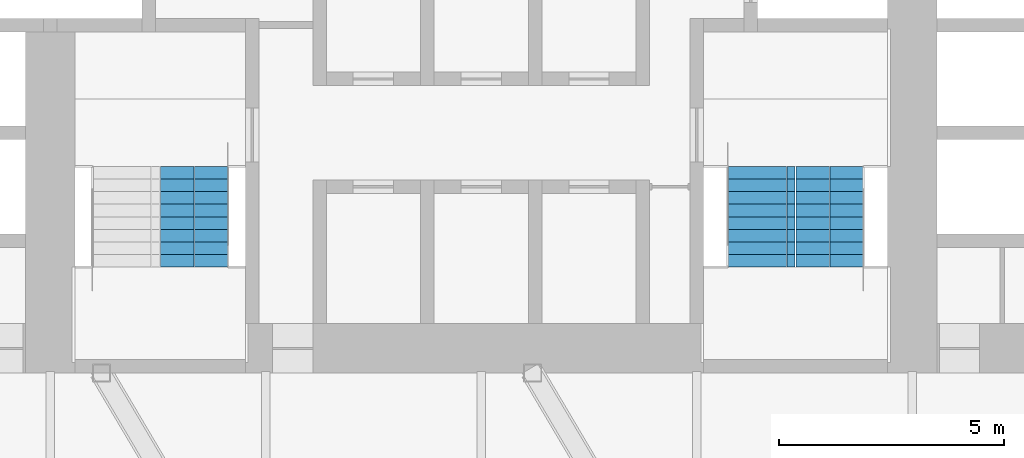
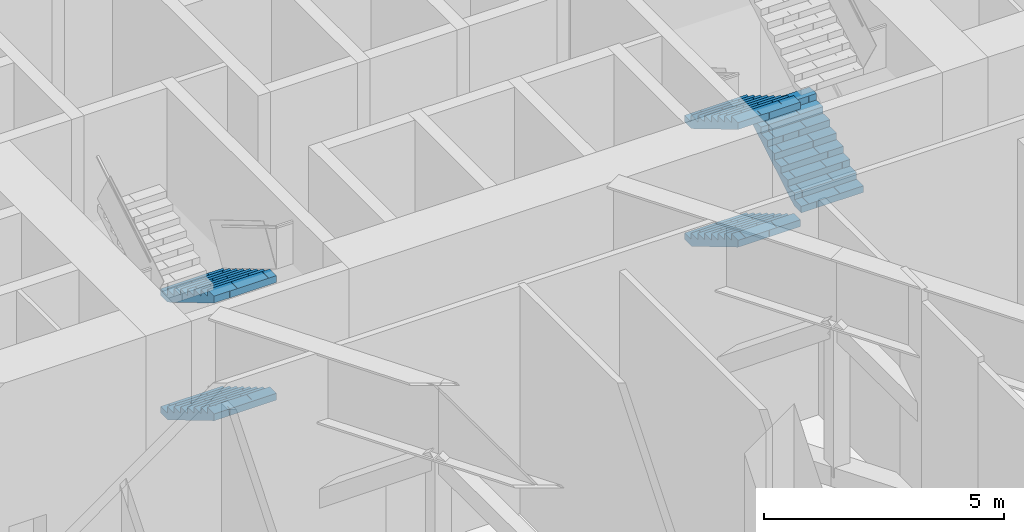
# One storey, part 24 of 35: 5 stair flights, 2 elements without a shape of their own.
"""IFC4 building model written with IfcOpenShell, lengths in metres."""

from ifc_helpers import new_model, si_unit, direction, frame, origin, place, context, subcontext, project, spatial, polyline, outline, extrude, material, type_object, element, aggregate, save


model = new_model("IFC4")

# Units and contexts
model_context = context("Model", 3, precision=1e-05, world=origin(), true_north=direction((0.0, 1.0)))
body_context = subcontext(model_context, "Body", "Model", "MODEL_VIEW")
ifc_project = project(units=[si_unit("LENGTHUNIT", "METRE"), si_unit("AREAUNIT", "SQUARE_METRE"), si_unit("VOLUMEUNIT", "CUBIC_METRE"), si_unit("PLANEANGLEUNIT", "RADIAN"), si_unit("MASSUNIT", "GRAM", prefix="KILO")], contexts=[model_context])

# Site, building, storey
site_placement = place(None, origin())
site = spatial("IfcSite", under=ifc_project, at=site_placement, CompositionType="ELEMENT")
building_placement = place(site_placement, origin())
building = spatial("IfcBuilding", under=site, at=building_placement, Name="Kolab Exchange Tower", CompositionType="ELEMENT")
storey_placement = place(building_placement, frame((0.0, 0.0, 71.89990234375)))
storey = spatial("IfcBuildingStorey", under=building, at=storey_placement, Name="L13", CompositionType="ELEMENT", Elevation=71.89990234375)

# Stair, stair flights
ifc_material = material(Name="Concrete C50/60", Category="concrete")
stair_type_1 = type_object("IfcStairType", Name="STAIR ST3 RISER 166.7", PredefinedType="DOUBLE_RETURN_STAIR", material=ifc_material)
stair_1_placement = place(storey_placement, origin())
stair_1 = element("IfcStair", 1, at=stair_1_placement, inside=storey, type_object=stair_type_1, Name="Stair 3", PredefinedType="DOUBLE_RETURN_STAIR")
stair_flight_type = type_object("IfcStairFlightType", Name="STAIR FLIGHT 1500 RISER 166.7", PredefinedType="STRAIGHT", material=ifc_material)
stair_flight_1_placement = place(storey_placement, frame((-6.389892578125, -5.550048828125, 0.0), z_axis=(0.0, 0.0, 1.0), x_axis=(0.0, -1.0, 0.0)))
stair_flight_1 = element("IfcStairFlight", 2, at=stair_flight_1_placement, type_object=stair_flight_type, Name="ST3 flight 1", NumberOfRisers=9, NumberOfTreads=8, PredefinedType="STRAIGHT", RiserHeight=0.166666667, TreadLength=0.28, context=body_context, shape_type="SweptSolid", body=[
    extrude(outline(polyline([(0.0, 0.0), (0.0, 0.166748046875), (0.280029296875, 0.166748046875), (0.280029296875, 0.333251953125), (0.56005859375, 0.333251953125), (0.56005859375, 0.5), (0.840087890625, 0.5), (0.840087890625, 0.666748046875), (1.1201171875, 0.666748046875), (1.1201171875, 0.833251953125), (1.39990234375, 0.833251953125), (1.39990234375, 1.0), (1.679931640625, 1.0), (1.679931640625, 1.166748046875), (1.9599609375, 1.166748046875), (1.9599609375, 1.333251953125), (2.239990234375, 1.333251953125), (2.239990234375, 1.5), (2.239990234375, 1.158935546875), (0.29296875, 0.0), (0.0, 0.0)])), frame((0.0, 0.75, 0.0), z_axis=(0.0, -1.0, 0.0), x_axis=(1.0, 0.0, 0.0)), (0.0, 0.0, 1.0), 0.185791015625),
    extrude(outline(polyline([(0.0, 0.0), (0.0, 0.166748046875), (0.280029296875, 0.166748046875), (0.280029296875, 0.333251953125), (0.56005859375, 0.333251953125), (0.56005859375, 0.5), (0.840087890625, 0.5), (0.840087890625, 0.666748046875), (1.1201171875, 0.666748046875), (1.1201171875, 0.833251953125), (1.39990234375, 0.833251953125), (1.39990234375, 1.0), (1.679931640625, 1.0), (1.679931640625, 1.166748046875), (1.9599609375, 1.166748046875), (1.9599609375, 1.333251953125), (2.239990234375, 1.333251953125), (2.239990234375, 1.5), (2.239990234375, 1.158935546875), (0.29296875, 0.0), (0.0, 0.0)])), frame((0.0, 0.562255859375, 0.0), z_axis=(0.0, -1.0, 0.0), x_axis=(1.0, 0.0, 0.0)), (0.0, 0.0, 1.0), 0.185791015625),
    extrude(outline(polyline([(0.0, 0.0), (0.0, 0.166748046875), (0.280029296875, 0.166748046875), (0.280029296875, 0.333251953125), (0.56005859375, 0.333251953125), (0.56005859375, 0.5), (0.840087890625, 0.5), (0.840087890625, 0.666748046875), (1.1201171875, 0.666748046875), (1.1201171875, 0.833251953125), (1.39990234375, 0.833251953125), (1.39990234375, 1.0), (1.679931640625, 1.0), (1.679931640625, 1.166748046875), (1.9599609375, 1.166748046875), (1.9599609375, 1.333251953125), (2.239990234375, 1.333251953125), (2.239990234375, 1.5), (2.239990234375, 1.158935546875), (0.29296875, 0.0), (0.0, 0.0)])), frame((0.0, 0.37451171875, 0.0), z_axis=(0.0, -1.0, 0.0), x_axis=(1.0, 0.0, 0.0)), (0.0, 0.0, 1.0), 0.185791015625),
    extrude(outline(polyline([(0.0, 0.0), (0.0, 0.166748046875), (0.280029296875, 0.166748046875), (0.280029296875, 0.333251953125), (0.56005859375, 0.333251953125), (0.56005859375, 0.5), (0.840087890625, 0.5), (0.840087890625, 0.666748046875), (1.1201171875, 0.666748046875), (1.1201171875, 0.833251953125), (1.39990234375, 0.833251953125), (1.39990234375, 1.0), (1.679931640625, 1.0), (1.679931640625, 1.166748046875), (1.9599609375, 1.166748046875), (1.9599609375, 1.333251953125), (2.239990234375, 1.333251953125), (2.239990234375, 1.5), (2.239990234375, 1.158935546875), (0.29296875, 0.0), (0.0, 0.0)])), frame((0.0, 0.186767578125, 0.0), z_axis=(0.0, -1.0, 0.0), x_axis=(1.0, 0.0, 0.0)), (0.0, 0.0, 1.0), 0.185791015625),
    extrude(outline(polyline([(0.0, 0.0), (0.0, 0.166748046875), (0.280029296875, 0.166748046875), (0.280029296875, 0.333251953125), (0.56005859375, 0.333251953125), (0.56005859375, 0.5), (0.840087890625, 0.5), (0.840087890625, 0.666748046875), (1.1201171875, 0.666748046875), (1.1201171875, 0.833251953125), (1.39990234375, 0.833251953125), (1.39990234375, 1.0), (1.679931640625, 1.0), (1.679931640625, 1.166748046875), (1.9599609375, 1.166748046875), (1.9599609375, 1.333251953125), (2.239990234375, 1.333251953125), (2.239990234375, 1.5), (2.239990234375, 1.158935546875), (0.29296875, 0.0), (0.0, 0.0)])), frame((0.0, -0.0009765625, 0.0), z_axis=(0.0, -1.0, 0.0), x_axis=(1.0, 0.0, 0.0)), (0.0, 0.0, 1.0), 0.185791015625),
    extrude(outline(polyline([(0.0, 0.0), (0.0, 0.166748046875), (0.280029296875, 0.166748046875), (0.280029296875, 0.333251953125), (0.56005859375, 0.333251953125), (0.56005859375, 0.5), (0.840087890625, 0.5), (0.840087890625, 0.666748046875), (1.1201171875, 0.666748046875), (1.1201171875, 0.833251953125), (1.39990234375, 0.833251953125), (1.39990234375, 1.0), (1.679931640625, 1.0), (1.679931640625, 1.166748046875), (1.9599609375, 1.166748046875), (1.9599609375, 1.333251953125), (2.239990234375, 1.333251953125), (2.239990234375, 1.5), (2.239990234375, 1.158935546875), (0.29296875, 0.0), (0.0, 0.0)])), frame((0.0, -0.188720703125, 0.0), z_axis=(0.0, -1.0, 0.0), x_axis=(1.0, 0.0, 0.0)), (0.0, 0.0, 1.0), 0.185791015625),
    extrude(outline(polyline([(0.0, 0.0), (0.0, 0.166748046875), (0.280029296875, 0.166748046875), (0.280029296875, 0.333251953125), (0.56005859375, 0.333251953125), (0.56005859375, 0.5), (0.840087890625, 0.5), (0.840087890625, 0.666748046875), (1.1201171875, 0.666748046875), (1.1201171875, 0.833251953125), (1.39990234375, 0.833251953125), (1.39990234375, 1.0), (1.679931640625, 1.0), (1.679931640625, 1.166748046875), (1.9599609375, 1.166748046875), (1.9599609375, 1.333251953125), (2.239990234375, 1.333251953125), (2.239990234375, 1.5), (2.239990234375, 1.158935546875), (0.29296875, 0.0), (0.0, 0.0)])), frame((0.0, -0.37646484375, 0.0), z_axis=(0.0, -1.0, 0.0), x_axis=(1.0, 0.0, 0.0)), (0.0, 0.0, 1.0), 0.185791015625),
    extrude(outline(polyline([(0.0, 0.0), (0.0, 0.166748046875), (0.280029296875, 0.166748046875), (0.280029296875, 0.333251953125), (0.56005859375, 0.333251953125), (0.56005859375, 0.5), (0.840087890625, 0.5), (0.840087890625, 0.666748046875), (1.1201171875, 0.666748046875), (1.1201171875, 0.833251953125), (1.39990234375, 0.833251953125), (1.39990234375, 1.0), (1.679931640625, 1.0), (1.679931640625, 1.166748046875), (1.9599609375, 1.166748046875), (1.9599609375, 1.333251953125), (2.239990234375, 1.333251953125), (2.239990234375, 1.5), (2.239990234375, 1.158935546875), (0.29296875, 0.0), (0.0, 0.0)])), frame((0.0, -0.564208984375, 0.0), z_axis=(0.0, -1.0, 0.0), x_axis=(1.0, 0.0, 0.0)), (0.0, 0.0, 1.0), 0.185791015625),
])
stair_flight_2_placement = place(storey_placement, frame((-6.389892578125, -5.550048828125, 3.0), z_axis=(0.0, 0.0, 1.0), x_axis=(0.0, -1.0, 0.0)))
stair_flight_2 = element("IfcStairFlight", 3, at=stair_flight_2_placement, type_object=stair_flight_type, Name="ST3 flight 3", NumberOfRisers=9, NumberOfTreads=8, PredefinedType="STRAIGHT", RiserHeight=0.166666667, TreadLength=0.28, context=body_context, shape_type="SweptSolid", body=[
    extrude(outline(polyline([(0.0, 0.0), (0.0, 0.166748046875), (0.280029296875, 0.166748046875), (0.280029296875, 0.333251953125), (0.56005859375, 0.333251953125), (0.56005859375, 0.5), (0.840087890625, 0.5), (0.840087890625, 0.666748046875), (1.1201171875, 0.666748046875), (1.1201171875, 0.833251953125), (1.39990234375, 0.833251953125), (1.39990234375, 1.0), (1.679931640625, 1.0), (1.679931640625, 1.166748046875), (1.9599609375, 1.166748046875), (1.9599609375, 1.333251953125), (2.239990234375, 1.333251953125), (2.239990234375, 1.5), (2.239990234375, 1.158935546875), (0.29296875, 0.0), (0.0, 0.0)])), frame((0.0, 0.75, 0.0), z_axis=(0.0, -1.0, 0.0), x_axis=(1.0, 0.0, 0.0)), (0.0, 0.0, 1.0), 0.185791015625),
    extrude(outline(polyline([(0.0, 0.0), (0.0, 0.166748046875), (0.280029296875, 0.166748046875), (0.280029296875, 0.333251953125), (0.56005859375, 0.333251953125), (0.56005859375, 0.5), (0.840087890625, 0.5), (0.840087890625, 0.666748046875), (1.1201171875, 0.666748046875), (1.1201171875, 0.833251953125), (1.39990234375, 0.833251953125), (1.39990234375, 1.0), (1.679931640625, 1.0), (1.679931640625, 1.166748046875), (1.9599609375, 1.166748046875), (1.9599609375, 1.333251953125), (2.239990234375, 1.333251953125), (2.239990234375, 1.5), (2.239990234375, 1.158935546875), (0.29296875, 0.0), (0.0, 0.0)])), frame((0.0, 0.562255859375, 0.0), z_axis=(0.0, -1.0, 0.0), x_axis=(1.0, 0.0, 0.0)), (0.0, 0.0, 1.0), 0.185791015625),
    extrude(outline(polyline([(0.0, 0.0), (0.0, 0.166748046875), (0.280029296875, 0.166748046875), (0.280029296875, 0.333251953125), (0.56005859375, 0.333251953125), (0.56005859375, 0.5), (0.840087890625, 0.5), (0.840087890625, 0.666748046875), (1.1201171875, 0.666748046875), (1.1201171875, 0.833251953125), (1.39990234375, 0.833251953125), (1.39990234375, 1.0), (1.679931640625, 1.0), (1.679931640625, 1.166748046875), (1.9599609375, 1.166748046875), (1.9599609375, 1.333251953125), (2.239990234375, 1.333251953125), (2.239990234375, 1.5), (2.239990234375, 1.158935546875), (0.29296875, 0.0), (0.0, 0.0)])), frame((0.0, 0.37451171875, 0.0), z_axis=(0.0, -1.0, 0.0), x_axis=(1.0, 0.0, 0.0)), (0.0, 0.0, 1.0), 0.185791015625),
    extrude(outline(polyline([(0.0, 0.0), (0.0, 0.166748046875), (0.280029296875, 0.166748046875), (0.280029296875, 0.333251953125), (0.56005859375, 0.333251953125), (0.56005859375, 0.5), (0.840087890625, 0.5), (0.840087890625, 0.666748046875), (1.1201171875, 0.666748046875), (1.1201171875, 0.833251953125), (1.39990234375, 0.833251953125), (1.39990234375, 1.0), (1.679931640625, 1.0), (1.679931640625, 1.166748046875), (1.9599609375, 1.166748046875), (1.9599609375, 1.333251953125), (2.239990234375, 1.333251953125), (2.239990234375, 1.5), (2.239990234375, 1.158935546875), (0.29296875, 0.0), (0.0, 0.0)])), frame((0.0, 0.186767578125, 0.0), z_axis=(0.0, -1.0, 0.0), x_axis=(1.0, 0.0, 0.0)), (0.0, 0.0, 1.0), 0.185791015625),
    extrude(outline(polyline([(0.0, 0.0), (0.0, 0.166748046875), (0.280029296875, 0.166748046875), (0.280029296875, 0.333251953125), (0.56005859375, 0.333251953125), (0.56005859375, 0.5), (0.840087890625, 0.5), (0.840087890625, 0.666748046875), (1.1201171875, 0.666748046875), (1.1201171875, 0.833251953125), (1.39990234375, 0.833251953125), (1.39990234375, 1.0), (1.679931640625, 1.0), (1.679931640625, 1.166748046875), (1.9599609375, 1.166748046875), (1.9599609375, 1.333251953125), (2.239990234375, 1.333251953125), (2.239990234375, 1.5), (2.239990234375, 1.158935546875), (0.29296875, 0.0), (0.0, 0.0)])), frame((0.0, -0.0009765625, 0.0), z_axis=(0.0, -1.0, 0.0), x_axis=(1.0, 0.0, 0.0)), (0.0, 0.0, 1.0), 0.185791015625),
    extrude(outline(polyline([(0.0, 0.0), (0.0, 0.166748046875), (0.280029296875, 0.166748046875), (0.280029296875, 0.333251953125), (0.56005859375, 0.333251953125), (0.56005859375, 0.5), (0.840087890625, 0.5), (0.840087890625, 0.666748046875), (1.1201171875, 0.666748046875), (1.1201171875, 0.833251953125), (1.39990234375, 0.833251953125), (1.39990234375, 1.0), (1.679931640625, 1.0), (1.679931640625, 1.166748046875), (1.9599609375, 1.166748046875), (1.9599609375, 1.333251953125), (2.239990234375, 1.333251953125), (2.239990234375, 1.5), (2.239990234375, 1.158935546875), (0.29296875, 0.0), (0.0, 0.0)])), frame((0.0, -0.188720703125, 0.0), z_axis=(0.0, -1.0, 0.0), x_axis=(1.0, 0.0, 0.0)), (0.0, 0.0, 1.0), 0.185791015625),
    extrude(outline(polyline([(0.0, 0.0), (0.0, 0.166748046875), (0.280029296875, 0.166748046875), (0.280029296875, 0.333251953125), (0.56005859375, 0.333251953125), (0.56005859375, 0.5), (0.840087890625, 0.5), (0.840087890625, 0.666748046875), (1.1201171875, 0.666748046875), (1.1201171875, 0.833251953125), (1.39990234375, 0.833251953125), (1.39990234375, 1.0), (1.679931640625, 1.0), (1.679931640625, 1.166748046875), (1.9599609375, 1.166748046875), (1.9599609375, 1.333251953125), (2.239990234375, 1.333251953125), (2.239990234375, 1.5), (2.239990234375, 1.158935546875), (0.29296875, 0.0), (0.0, 0.0)])), frame((0.0, -0.37646484375, 0.0), z_axis=(0.0, -1.0, 0.0), x_axis=(1.0, 0.0, 0.0)), (0.0, 0.0, 1.0), 0.185791015625),
    extrude(outline(polyline([(0.0, 0.0), (0.0, 0.166748046875), (0.280029296875, 0.166748046875), (0.280029296875, 0.333251953125), (0.56005859375, 0.333251953125), (0.56005859375, 0.5), (0.840087890625, 0.5), (0.840087890625, 0.666748046875), (1.1201171875, 0.666748046875), (1.1201171875, 0.833251953125), (1.39990234375, 0.833251953125), (1.39990234375, 1.0), (1.679931640625, 1.0), (1.679931640625, 1.166748046875), (1.9599609375, 1.166748046875), (1.9599609375, 1.333251953125), (2.239990234375, 1.333251953125), (2.239990234375, 1.5), (2.239990234375, 1.158935546875), (0.29296875, 0.0), (0.0, 0.0)])), frame((0.0, -0.564208984375, 0.0), z_axis=(0.0, -1.0, 0.0), x_axis=(1.0, 0.0, 0.0)), (0.0, 0.0, 1.0), 0.185791015625),
])
aggregate(stair_1, [stair_flight_1, stair_flight_2])

stair_type_2 = type_object("IfcStairType", Name="STAIR ST2 RISER 166.7", PredefinedType="DOUBLE_RETURN_STAIR", material=ifc_material)
stair_2_placement = place(storey_placement, origin())
stair_2 = element("IfcStair", 4, at=stair_2_placement, inside=storey, type_object=stair_type_2, Name="Stair 2", PredefinedType="DOUBLE_RETURN_STAIR")
stair_flight_3_placement = place(storey_placement, frame((6.239990234375, -5.550048828125, 0.0), z_axis=(0.0, 0.0, 1.0), x_axis=(0.0, -1.0, 0.0)))
stair_flight_3 = element("IfcStairFlight", 5, at=stair_flight_3_placement, type_object=stair_flight_type, Name="ST2 flight 1", NumberOfRisers=9, NumberOfTreads=8, PredefinedType="STRAIGHT", RiserHeight=0.166666667, TreadLength=0.28, context=body_context, shape_type="SweptSolid", body=[
    extrude(outline(polyline([(0.0, 0.0), (0.0, 0.166748046875), (0.280029296875, 0.166748046875), (0.280029296875, 0.333251953125), (0.56005859375, 0.333251953125), (0.56005859375, 0.5), (0.840087890625, 0.5), (0.840087890625, 0.666748046875), (1.1201171875, 0.666748046875), (1.1201171875, 0.833251953125), (1.39990234375, 0.833251953125), (1.39990234375, 1.0), (1.679931640625, 1.0), (1.679931640625, 1.166748046875), (1.9599609375, 1.166748046875), (1.9599609375, 1.333251953125), (2.239990234375, 1.333251953125), (2.239990234375, 1.5), (2.239990234375, 1.158935546875), (0.29296875, 0.0), (0.0, 0.0)])), frame((0.0, 0.75, 0.0), z_axis=(0.0, -1.0, 0.0), x_axis=(1.0, 0.0, 0.0)), (0.0, 0.0, 1.0), 0.185791015625),
    extrude(outline(polyline([(0.0, 0.0), (0.0, 0.166748046875), (0.280029296875, 0.166748046875), (0.280029296875, 0.333251953125), (0.56005859375, 0.333251953125), (0.56005859375, 0.5), (0.840087890625, 0.5), (0.840087890625, 0.666748046875), (1.1201171875, 0.666748046875), (1.1201171875, 0.833251953125), (1.39990234375, 0.833251953125), (1.39990234375, 1.0), (1.679931640625, 1.0), (1.679931640625, 1.166748046875), (1.9599609375, 1.166748046875), (1.9599609375, 1.333251953125), (2.239990234375, 1.333251953125), (2.239990234375, 1.5), (2.239990234375, 1.158935546875), (0.29296875, 0.0), (0.0, 0.0)])), frame((0.0, 0.562255859375, 0.0), z_axis=(0.0, -1.0, 0.0), x_axis=(1.0, 0.0, 0.0)), (0.0, 0.0, 1.0), 0.185791015625),
    extrude(outline(polyline([(0.0, 0.0), (0.0, 0.166748046875), (0.280029296875, 0.166748046875), (0.280029296875, 0.333251953125), (0.56005859375, 0.333251953125), (0.56005859375, 0.5), (0.840087890625, 0.5), (0.840087890625, 0.666748046875), (1.1201171875, 0.666748046875), (1.1201171875, 0.833251953125), (1.39990234375, 0.833251953125), (1.39990234375, 1.0), (1.679931640625, 1.0), (1.679931640625, 1.166748046875), (1.9599609375, 1.166748046875), (1.9599609375, 1.333251953125), (2.239990234375, 1.333251953125), (2.239990234375, 1.5), (2.239990234375, 1.158935546875), (0.29296875, 0.0), (0.0, 0.0)])), frame((0.0, 0.37451171875, 0.0), z_axis=(0.0, -1.0, 0.0), x_axis=(1.0, 0.0, 0.0)), (0.0, 0.0, 1.0), 0.185791015625),
    extrude(outline(polyline([(0.0, 0.0), (0.0, 0.166748046875), (0.280029296875, 0.166748046875), (0.280029296875, 0.333251953125), (0.56005859375, 0.333251953125), (0.56005859375, 0.5), (0.840087890625, 0.5), (0.840087890625, 0.666748046875), (1.1201171875, 0.666748046875), (1.1201171875, 0.833251953125), (1.39990234375, 0.833251953125), (1.39990234375, 1.0), (1.679931640625, 1.0), (1.679931640625, 1.166748046875), (1.9599609375, 1.166748046875), (1.9599609375, 1.333251953125), (2.239990234375, 1.333251953125), (2.239990234375, 1.5), (2.239990234375, 1.158935546875), (0.29296875, 0.0), (0.0, 0.0)])), frame((0.0, 0.186767578125, 0.0), z_axis=(0.0, -1.0, 0.0), x_axis=(1.0, 0.0, 0.0)), (0.0, 0.0, 1.0), 0.185791015625),
    extrude(outline(polyline([(0.0, 0.0), (0.0, 0.166748046875), (0.280029296875, 0.166748046875), (0.280029296875, 0.333251953125), (0.56005859375, 0.333251953125), (0.56005859375, 0.5), (0.840087890625, 0.5), (0.840087890625, 0.666748046875), (1.1201171875, 0.666748046875), (1.1201171875, 0.833251953125), (1.39990234375, 0.833251953125), (1.39990234375, 1.0), (1.679931640625, 1.0), (1.679931640625, 1.166748046875), (1.9599609375, 1.166748046875), (1.9599609375, 1.333251953125), (2.239990234375, 1.333251953125), (2.239990234375, 1.5), (2.239990234375, 1.158935546875), (0.29296875, 0.0), (0.0, 0.0)])), frame((0.0, -0.0009765625, 0.0), z_axis=(0.0, -1.0, 0.0), x_axis=(1.0, 0.0, 0.0)), (0.0, 0.0, 1.0), 0.185791015625),
    extrude(outline(polyline([(0.0, 0.0), (0.0, 0.166748046875), (0.280029296875, 0.166748046875), (0.280029296875, 0.333251953125), (0.56005859375, 0.333251953125), (0.56005859375, 0.5), (0.840087890625, 0.5), (0.840087890625, 0.666748046875), (1.1201171875, 0.666748046875), (1.1201171875, 0.833251953125), (1.39990234375, 0.833251953125), (1.39990234375, 1.0), (1.679931640625, 1.0), (1.679931640625, 1.166748046875), (1.9599609375, 1.166748046875), (1.9599609375, 1.333251953125), (2.239990234375, 1.333251953125), (2.239990234375, 1.5), (2.239990234375, 1.158935546875), (0.29296875, 0.0), (0.0, 0.0)])), frame((0.0, -0.188720703125, 0.0), z_axis=(0.0, -1.0, 0.0), x_axis=(1.0, 0.0, 0.0)), (0.0, 0.0, 1.0), 0.185791015625),
    extrude(outline(polyline([(0.0, 0.0), (0.0, 0.166748046875), (0.280029296875, 0.166748046875), (0.280029296875, 0.333251953125), (0.56005859375, 0.333251953125), (0.56005859375, 0.5), (0.840087890625, 0.5), (0.840087890625, 0.666748046875), (1.1201171875, 0.666748046875), (1.1201171875, 0.833251953125), (1.39990234375, 0.833251953125), (1.39990234375, 1.0), (1.679931640625, 1.0), (1.679931640625, 1.166748046875), (1.9599609375, 1.166748046875), (1.9599609375, 1.333251953125), (2.239990234375, 1.333251953125), (2.239990234375, 1.5), (2.239990234375, 1.158935546875), (0.29296875, 0.0), (0.0, 0.0)])), frame((0.0, -0.37646484375, 0.0), z_axis=(0.0, -1.0, 0.0), x_axis=(1.0, 0.0, 0.0)), (0.0, 0.0, 1.0), 0.185791015625),
    extrude(outline(polyline([(0.0, 0.0), (0.0, 0.166748046875), (0.280029296875, 0.166748046875), (0.280029296875, 0.333251953125), (0.56005859375, 0.333251953125), (0.56005859375, 0.5), (0.840087890625, 0.5), (0.840087890625, 0.666748046875), (1.1201171875, 0.666748046875), (1.1201171875, 0.833251953125), (1.39990234375, 0.833251953125), (1.39990234375, 1.0), (1.679931640625, 1.0), (1.679931640625, 1.166748046875), (1.9599609375, 1.166748046875), (1.9599609375, 1.333251953125), (2.239990234375, 1.333251953125), (2.239990234375, 1.5), (2.239990234375, 1.158935546875), (0.29296875, 0.0), (0.0, 0.0)])), frame((0.0, -0.564208984375, 0.0), z_axis=(0.0, -1.0, 0.0), x_axis=(1.0, 0.0, 0.0)), (0.0, 0.0, 1.0), 0.185791015625),
])
stair_flight_4_placement = place(storey_placement, frame((7.760009765625, -7.7900390625, 1.5), z_axis=(0.0, 0.0, 1.0), x_axis=(0.0, 1.0, 0.0)))
stair_flight_4 = element("IfcStairFlight", 6, at=stair_flight_4_placement, type_object=stair_flight_type, Name="ST2 flight 2", NumberOfRisers=9, NumberOfTreads=8, PredefinedType="STRAIGHT", RiserHeight=0.166666667, TreadLength=0.28, context=body_context, shape_type="SweptSolid", body=[
    extrude(outline(polyline([(0.0, 0.0), (0.0, 0.166748046875), (0.280029296875, 0.166748046875), (0.280029296875, 0.333251953125), (0.56005859375, 0.333251953125), (0.56005859375, 0.5), (0.840087890625, 0.5), (0.840087890625, 0.666748046875), (1.1201171875, 0.666748046875), (1.1201171875, 0.833251953125), (1.39990234375, 0.833251953125), (1.39990234375, 1.0), (1.679931640625, 1.0), (1.679931640625, 1.166748046875), (1.9599609375, 1.166748046875), (1.9599609375, 1.333251953125), (2.239990234375, 1.333251953125), (2.239990234375, 1.5), (2.239990234375, 1.158935546875), (0.29296875, 0.0), (0.0, 0.0)])), frame((0.0, 0.75, 0.0), z_axis=(0.0, -1.0, 0.0), x_axis=(1.0, 0.0, 0.0)), (0.0, 0.0, 1.0), 0.185791015625),
    extrude(outline(polyline([(0.0, 0.0), (0.0, 0.166748046875), (0.280029296875, 0.166748046875), (0.280029296875, 0.333251953125), (0.56005859375, 0.333251953125), (0.56005859375, 0.5), (0.840087890625, 0.5), (0.840087890625, 0.666748046875), (1.1201171875, 0.666748046875), (1.1201171875, 0.833251953125), (1.39990234375, 0.833251953125), (1.39990234375, 1.0), (1.679931640625, 1.0), (1.679931640625, 1.166748046875), (1.9599609375, 1.166748046875), (1.9599609375, 1.333251953125), (2.239990234375, 1.333251953125), (2.239990234375, 1.5), (2.239990234375, 1.158935546875), (0.29296875, 0.0), (0.0, 0.0)])), frame((0.0, 0.562255859375, 0.0), z_axis=(0.0, -1.0, 0.0), x_axis=(1.0, 0.0, 0.0)), (0.0, 0.0, 1.0), 0.185791015625),
    extrude(outline(polyline([(0.0, 0.0), (0.0, 0.166748046875), (0.280029296875, 0.166748046875), (0.280029296875, 0.333251953125), (0.56005859375, 0.333251953125), (0.56005859375, 0.5), (0.840087890625, 0.5), (0.840087890625, 0.666748046875), (1.1201171875, 0.666748046875), (1.1201171875, 0.833251953125), (1.39990234375, 0.833251953125), (1.39990234375, 1.0), (1.679931640625, 1.0), (1.679931640625, 1.166748046875), (1.9599609375, 1.166748046875), (1.9599609375, 1.333251953125), (2.239990234375, 1.333251953125), (2.239990234375, 1.5), (2.239990234375, 1.158935546875), (0.29296875, 0.0), (0.0, 0.0)])), frame((0.0, 0.37451171875, 0.0), z_axis=(0.0, -1.0, 0.0), x_axis=(1.0, 0.0, 0.0)), (0.0, 0.0, 1.0), 0.185791015625),
    extrude(outline(polyline([(0.0, 0.0), (0.0, 0.166748046875), (0.280029296875, 0.166748046875), (0.280029296875, 0.333251953125), (0.56005859375, 0.333251953125), (0.56005859375, 0.5), (0.840087890625, 0.5), (0.840087890625, 0.666748046875), (1.1201171875, 0.666748046875), (1.1201171875, 0.833251953125), (1.39990234375, 0.833251953125), (1.39990234375, 1.0), (1.679931640625, 1.0), (1.679931640625, 1.166748046875), (1.9599609375, 1.166748046875), (1.9599609375, 1.333251953125), (2.239990234375, 1.333251953125), (2.239990234375, 1.5), (2.239990234375, 1.158935546875), (0.29296875, 0.0), (0.0, 0.0)])), frame((0.0, 0.186767578125, 0.0), z_axis=(0.0, -1.0, 0.0), x_axis=(1.0, 0.0, 0.0)), (0.0, 0.0, 1.0), 0.185791015625),
    extrude(outline(polyline([(0.0, 0.0), (0.0, 0.166748046875), (0.280029296875, 0.166748046875), (0.280029296875, 0.333251953125), (0.56005859375, 0.333251953125), (0.56005859375, 0.5), (0.840087890625, 0.5), (0.840087890625, 0.666748046875), (1.1201171875, 0.666748046875), (1.1201171875, 0.833251953125), (1.39990234375, 0.833251953125), (1.39990234375, 1.0), (1.679931640625, 1.0), (1.679931640625, 1.166748046875), (1.9599609375, 1.166748046875), (1.9599609375, 1.333251953125), (2.239990234375, 1.333251953125), (2.239990234375, 1.5), (2.239990234375, 1.158935546875), (0.29296875, 0.0), (0.0, 0.0)])), frame((0.0, -0.0009765625, 0.0), z_axis=(0.0, -1.0, 0.0), x_axis=(1.0, 0.0, 0.0)), (0.0, 0.0, 1.0), 0.185791015625),
    extrude(outline(polyline([(0.0, 0.0), (0.0, 0.166748046875), (0.280029296875, 0.166748046875), (0.280029296875, 0.333251953125), (0.56005859375, 0.333251953125), (0.56005859375, 0.5), (0.840087890625, 0.5), (0.840087890625, 0.666748046875), (1.1201171875, 0.666748046875), (1.1201171875, 0.833251953125), (1.39990234375, 0.833251953125), (1.39990234375, 1.0), (1.679931640625, 1.0), (1.679931640625, 1.166748046875), (1.9599609375, 1.166748046875), (1.9599609375, 1.333251953125), (2.239990234375, 1.333251953125), (2.239990234375, 1.5), (2.239990234375, 1.158935546875), (0.29296875, 0.0), (0.0, 0.0)])), frame((0.0, -0.188720703125, 0.0), z_axis=(0.0, -1.0, 0.0), x_axis=(1.0, 0.0, 0.0)), (0.0, 0.0, 1.0), 0.185791015625),
    extrude(outline(polyline([(0.0, 0.0), (0.0, 0.166748046875), (0.280029296875, 0.166748046875), (0.280029296875, 0.333251953125), (0.56005859375, 0.333251953125), (0.56005859375, 0.5), (0.840087890625, 0.5), (0.840087890625, 0.666748046875), (1.1201171875, 0.666748046875), (1.1201171875, 0.833251953125), (1.39990234375, 0.833251953125), (1.39990234375, 1.0), (1.679931640625, 1.0), (1.679931640625, 1.166748046875), (1.9599609375, 1.166748046875), (1.9599609375, 1.333251953125), (2.239990234375, 1.333251953125), (2.239990234375, 1.5), (2.239990234375, 1.158935546875), (0.29296875, 0.0), (0.0, 0.0)])), frame((0.0, -0.37646484375, 0.0), z_axis=(0.0, -1.0, 0.0), x_axis=(1.0, 0.0, 0.0)), (0.0, 0.0, 1.0), 0.185791015625),
    extrude(outline(polyline([(0.0, 0.0), (0.0, 0.166748046875), (0.280029296875, 0.166748046875), (0.280029296875, 0.333251953125), (0.56005859375, 0.333251953125), (0.56005859375, 0.5), (0.840087890625, 0.5), (0.840087890625, 0.666748046875), (1.1201171875, 0.666748046875), (1.1201171875, 0.833251953125), (1.39990234375, 0.833251953125), (1.39990234375, 1.0), (1.679931640625, 1.0), (1.679931640625, 1.166748046875), (1.9599609375, 1.166748046875), (1.9599609375, 1.333251953125), (2.239990234375, 1.333251953125), (2.239990234375, 1.5), (2.239990234375, 1.158935546875), (0.29296875, 0.0), (0.0, 0.0)])), frame((0.0, -0.564208984375, 0.0), z_axis=(0.0, -1.0, 0.0), x_axis=(1.0, 0.0, 0.0)), (0.0, 0.0, 1.0), 0.185791015625),
])
stair_flight_5_placement = place(storey_placement, frame((6.239990234375, -5.550048828125, 3.0), z_axis=(0.0, 0.0, 1.0), x_axis=(0.0, -1.0, 0.0)))
stair_flight_5 = element("IfcStairFlight", 7, at=stair_flight_5_placement, type_object=stair_flight_type, Name="ST2 flight 3", NumberOfRisers=9, NumberOfTreads=8, PredefinedType="STRAIGHT", RiserHeight=0.166666667, TreadLength=0.28, context=body_context, shape_type="SweptSolid", body=[
    extrude(outline(polyline([(0.0, 0.0), (0.0, 0.166748046875), (0.280029296875, 0.166748046875), (0.280029296875, 0.333251953125), (0.56005859375, 0.333251953125), (0.56005859375, 0.5), (0.840087890625, 0.5), (0.840087890625, 0.666748046875), (1.1201171875, 0.666748046875), (1.1201171875, 0.833251953125), (1.39990234375, 0.833251953125), (1.39990234375, 1.0), (1.679931640625, 1.0), (1.679931640625, 1.166748046875), (1.9599609375, 1.166748046875), (1.9599609375, 1.333251953125), (2.239990234375, 1.333251953125), (2.239990234375, 1.5), (2.239990234375, 1.158935546875), (0.29296875, 0.0), (0.0, 0.0)])), frame((0.0, 0.75, 0.0), z_axis=(0.0, -1.0, 0.0), x_axis=(1.0, 0.0, 0.0)), (0.0, 0.0, 1.0), 0.185791015625),
    extrude(outline(polyline([(0.0, 0.0), (0.0, 0.166748046875), (0.280029296875, 0.166748046875), (0.280029296875, 0.333251953125), (0.56005859375, 0.333251953125), (0.56005859375, 0.5), (0.840087890625, 0.5), (0.840087890625, 0.666748046875), (1.1201171875, 0.666748046875), (1.1201171875, 0.833251953125), (1.39990234375, 0.833251953125), (1.39990234375, 1.0), (1.679931640625, 1.0), (1.679931640625, 1.166748046875), (1.9599609375, 1.166748046875), (1.9599609375, 1.333251953125), (2.239990234375, 1.333251953125), (2.239990234375, 1.5), (2.239990234375, 1.158935546875), (0.29296875, 0.0), (0.0, 0.0)])), frame((0.0, 0.562255859375, 0.0), z_axis=(0.0, -1.0, 0.0), x_axis=(1.0, 0.0, 0.0)), (0.0, 0.0, 1.0), 0.185791015625),
    extrude(outline(polyline([(0.0, 0.0), (0.0, 0.166748046875), (0.280029296875, 0.166748046875), (0.280029296875, 0.333251953125), (0.56005859375, 0.333251953125), (0.56005859375, 0.5), (0.840087890625, 0.5), (0.840087890625, 0.666748046875), (1.1201171875, 0.666748046875), (1.1201171875, 0.833251953125), (1.39990234375, 0.833251953125), (1.39990234375, 1.0), (1.679931640625, 1.0), (1.679931640625, 1.166748046875), (1.9599609375, 1.166748046875), (1.9599609375, 1.333251953125), (2.239990234375, 1.333251953125), (2.239990234375, 1.5), (2.239990234375, 1.158935546875), (0.29296875, 0.0), (0.0, 0.0)])), frame((0.0, 0.37451171875, 0.0), z_axis=(0.0, -1.0, 0.0), x_axis=(1.0, 0.0, 0.0)), (0.0, 0.0, 1.0), 0.185791015625),
    extrude(outline(polyline([(0.0, 0.0), (0.0, 0.166748046875), (0.280029296875, 0.166748046875), (0.280029296875, 0.333251953125), (0.56005859375, 0.333251953125), (0.56005859375, 0.5), (0.840087890625, 0.5), (0.840087890625, 0.666748046875), (1.1201171875, 0.666748046875), (1.1201171875, 0.833251953125), (1.39990234375, 0.833251953125), (1.39990234375, 1.0), (1.679931640625, 1.0), (1.679931640625, 1.166748046875), (1.9599609375, 1.166748046875), (1.9599609375, 1.333251953125), (2.239990234375, 1.333251953125), (2.239990234375, 1.5), (2.239990234375, 1.158935546875), (0.29296875, 0.0), (0.0, 0.0)])), frame((0.0, 0.186767578125, 0.0), z_axis=(0.0, -1.0, 0.0), x_axis=(1.0, 0.0, 0.0)), (0.0, 0.0, 1.0), 0.185791015625),
    extrude(outline(polyline([(0.0, 0.0), (0.0, 0.166748046875), (0.280029296875, 0.166748046875), (0.280029296875, 0.333251953125), (0.56005859375, 0.333251953125), (0.56005859375, 0.5), (0.840087890625, 0.5), (0.840087890625, 0.666748046875), (1.1201171875, 0.666748046875), (1.1201171875, 0.833251953125), (1.39990234375, 0.833251953125), (1.39990234375, 1.0), (1.679931640625, 1.0), (1.679931640625, 1.166748046875), (1.9599609375, 1.166748046875), (1.9599609375, 1.333251953125), (2.239990234375, 1.333251953125), (2.239990234375, 1.5), (2.239990234375, 1.158935546875), (0.29296875, 0.0), (0.0, 0.0)])), frame((0.0, -0.0009765625, 0.0), z_axis=(0.0, -1.0, 0.0), x_axis=(1.0, 0.0, 0.0)), (0.0, 0.0, 1.0), 0.185791015625),
    extrude(outline(polyline([(0.0, 0.0), (0.0, 0.166748046875), (0.280029296875, 0.166748046875), (0.280029296875, 0.333251953125), (0.56005859375, 0.333251953125), (0.56005859375, 0.5), (0.840087890625, 0.5), (0.840087890625, 0.666748046875), (1.1201171875, 0.666748046875), (1.1201171875, 0.833251953125), (1.39990234375, 0.833251953125), (1.39990234375, 1.0), (1.679931640625, 1.0), (1.679931640625, 1.166748046875), (1.9599609375, 1.166748046875), (1.9599609375, 1.333251953125), (2.239990234375, 1.333251953125), (2.239990234375, 1.5), (2.239990234375, 1.158935546875), (0.29296875, 0.0), (0.0, 0.0)])), frame((0.0, -0.188720703125, 0.0), z_axis=(0.0, -1.0, 0.0), x_axis=(1.0, 0.0, 0.0)), (0.0, 0.0, 1.0), 0.185791015625),
    extrude(outline(polyline([(0.0, 0.0), (0.0, 0.166748046875), (0.280029296875, 0.166748046875), (0.280029296875, 0.333251953125), (0.56005859375, 0.333251953125), (0.56005859375, 0.5), (0.840087890625, 0.5), (0.840087890625, 0.666748046875), (1.1201171875, 0.666748046875), (1.1201171875, 0.833251953125), (1.39990234375, 0.833251953125), (1.39990234375, 1.0), (1.679931640625, 1.0), (1.679931640625, 1.166748046875), (1.9599609375, 1.166748046875), (1.9599609375, 1.333251953125), (2.239990234375, 1.333251953125), (2.239990234375, 1.5), (2.239990234375, 1.158935546875), (0.29296875, 0.0), (0.0, 0.0)])), frame((0.0, -0.37646484375, 0.0), z_axis=(0.0, -1.0, 0.0), x_axis=(1.0, 0.0, 0.0)), (0.0, 0.0, 1.0), 0.185791015625),
    extrude(outline(polyline([(0.0, 0.0), (0.0, 0.166748046875), (0.280029296875, 0.166748046875), (0.280029296875, 0.333251953125), (0.56005859375, 0.333251953125), (0.56005859375, 0.5), (0.840087890625, 0.5), (0.840087890625, 0.666748046875), (1.1201171875, 0.666748046875), (1.1201171875, 0.833251953125), (1.39990234375, 0.833251953125), (1.39990234375, 1.0), (1.679931640625, 1.0), (1.679931640625, 1.166748046875), (1.9599609375, 1.166748046875), (1.9599609375, 1.333251953125), (2.239990234375, 1.333251953125), (2.239990234375, 1.5), (2.239990234375, 1.158935546875), (0.29296875, 0.0), (0.0, 0.0)])), frame((0.0, -0.564208984375, 0.0), z_axis=(0.0, -1.0, 0.0), x_axis=(1.0, 0.0, 0.0)), (0.0, 0.0, 1.0), 0.185791015625),
])
aggregate(stair_2, [stair_flight_3, stair_flight_4, stair_flight_5])

save(model, "model.ifc")
